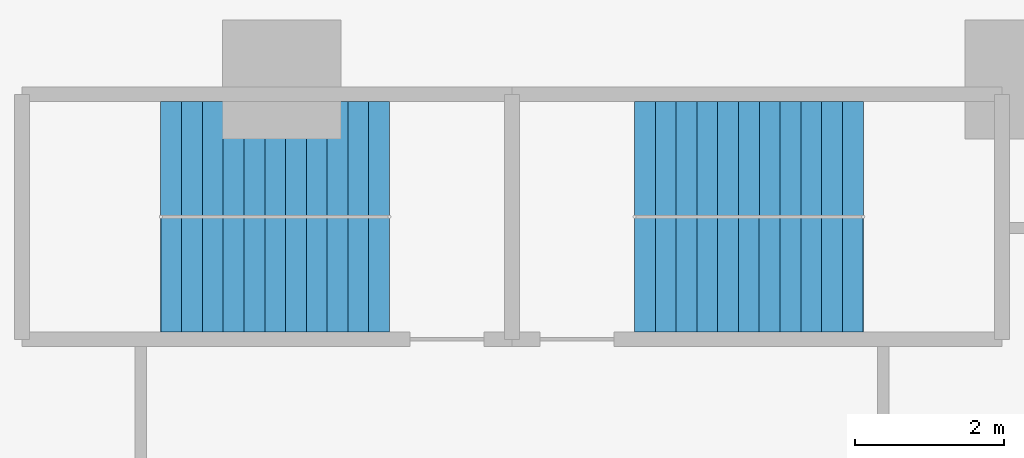
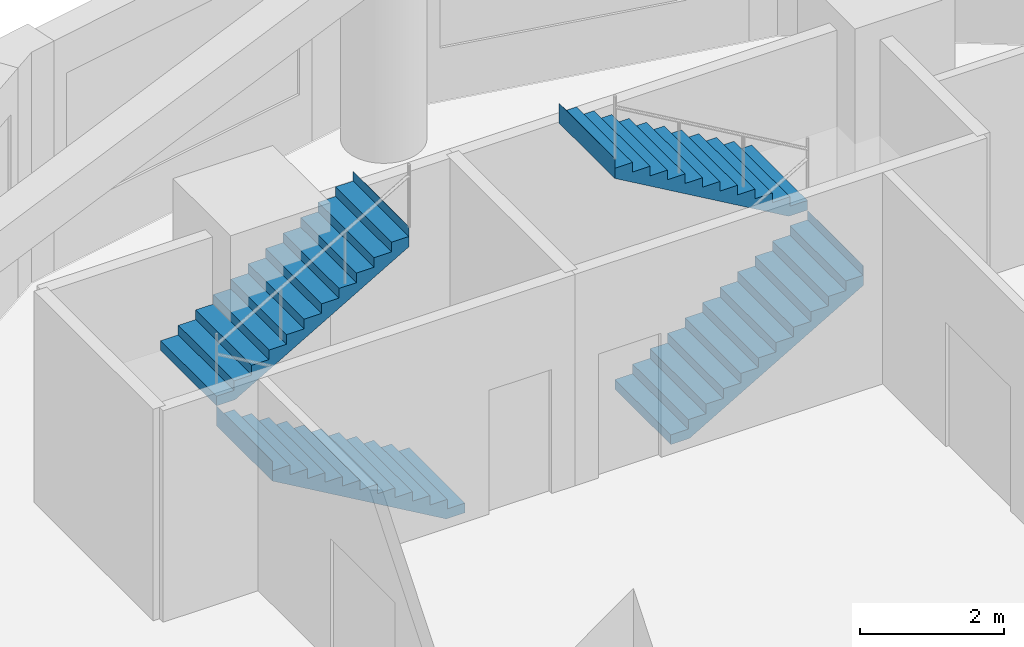
# One storey, part 8 of 10: 4 stair flights, 2 elements without a shape of their own.
"""IFC4 building model written with IfcOpenShell, lengths in metres."""

from ifc_helpers import new_model, si_unit, direction, frame, origin, place, context, subcontext, project, spatial, polyline, outline, extrude, material, type_object, element, aggregate, save


model = new_model("IFC4")

# Units and contexts
model_context = context("Model", 3, precision=1e-05, world=origin(), true_north=direction((0.0, 1.0)))
body_context = subcontext(model_context, "Body", "Model", "MODEL_VIEW")
ifc_project = project(units=[si_unit("LENGTHUNIT", "METRE"), si_unit("AREAUNIT", "SQUARE_METRE"), si_unit("VOLUMEUNIT", "CUBIC_METRE"), si_unit("PLANEANGLEUNIT", "RADIAN"), si_unit("MASSUNIT", "GRAM", prefix="KILO")], contexts=[model_context])

# Site, building, storey
site_placement = place(None, origin())
site = spatial("IfcSite", under=ifc_project, at=site_placement, CompositionType="ELEMENT")
building_placement = place(site_placement, origin())
building = spatial("IfcBuilding", under=site, at=building_placement, Name="Qaws Garden Tower", CompositionType="ELEMENT")
storey_placement = place(building_placement, frame((0.0, 0.0, 58.800048828125)))
storey = spatial("IfcBuildingStorey", under=building, at=storey_placement, Name="L14", CompositionType="ELEMENT", Elevation=58.800048828125)

# Stair, stair flights
ifc_material_1 = material(Name="Concrete C40", Category="concrete")
stair_type = type_object("IfcStairType", Name="Exit stair 1350", PredefinedType="HALF_TURN_STAIR", material=ifc_material_1)
placement = place(storey_placement, origin())
stair_1 = element("IfcStair", 1, at=placement, inside=storey, type_object=stair_type, Name="Stair 6", PredefinedType="HALF_TURN_STAIR")
ifc_material_2 = material(Name="Concrete C40", Category="concrete")
stair_flight_type = type_object("IfcStairFlightType", Name="Stair flight 1350", PredefinedType="STRAIGHT", material=ifc_material_2)
stair_flight_1_placement = place(storey_placement, frame((11.449951171875, 67.375, 0.0), z_axis=(0.0, 0.0, 1.0), x_axis=(-1.0, 0.0, 0.0)))
stair_flight_1 = element("IfcStairFlight", 2, at=stair_flight_1_placement, type_object=stair_flight_type, Name="ST6 flight 1", NumberOfRisers=12, NumberOfTreads=11, PredefinedType="STRAIGHT", RiserHeight=0.1625, TreadLength=0.28, context=body_context, shape_type="SweptSolid", body=[
    extrude(outline(polyline([(-0.0029296875, 0.0), (-0.0029296875, 0.16259765625), (0.0, 0.16259765625), (0.280029296875, 0.16259765625), (0.280029296875, 0.324951171875), (0.56005859375, 0.324951171875), (0.56005859375, 0.487548828125), (0.840087890625, 0.487548828125), (0.840087890625, 0.64990234375), (1.1201171875, 0.64990234375), (1.1201171875, 0.8125), (1.39990234375, 0.8125), (1.39990234375, 0.97509765625), (1.679931640625, 0.97509765625), (1.679931640625, 1.137451171875), (1.9599609375, 1.137451171875), (1.9599609375, 1.300048828125), (2.239990234375, 1.300048828125), (2.239990234375, 1.46240234375), (2.52001953125, 1.46240234375), (2.52001953125, 1.625), (2.800048828125, 1.625), (2.800048828125, 1.78759765625), (3.080078125, 1.78759765625), (3.080078125, 1.949951171875), (3.0830078125, 1.949951171875), (3.0830078125, 1.6142578125), (3.080078125, 1.6142578125), (0.298583984375, 0.0), (-0.0029296875, 0.0)])), frame((0.0, 0.77490234375, 0.0), z_axis=(0.0, -1.0, 0.0), x_axis=(1.0, 0.0, 0.0)), (0.0, 0.0, 1.0), 1.550048828125),
])
stair_flight_2_placement = place(storey_placement, frame((8.3701171875, 68.925048828125, 1.949951171875), z_axis=(0.0, 0.0, 1.0), x_axis=(1.0, 0.0, 0.0)))
stair_flight_2 = element("IfcStairFlight", 3, at=stair_flight_2_placement, type_object=stair_flight_type, Name="ST6 flight 2", NumberOfRisers=12, NumberOfTreads=11, PredefinedType="STRAIGHT", RiserHeight=0.1625, TreadLength=0.28, context=body_context, shape_type="SweptSolid", body=[
    extrude(outline(polyline([(-0.0029296875, 0.0), (-0.0029296875, 0.16259765625), (0.0, 0.16259765625), (0.280029296875, 0.16259765625), (0.280029296875, 0.324951171875), (0.56005859375, 0.324951171875), (0.56005859375, 0.487548828125), (0.840087890625, 0.487548828125), (0.840087890625, 0.64990234375), (1.1201171875, 0.64990234375), (1.1201171875, 0.8125), (1.39990234375, 0.8125), (1.39990234375, 0.97509765625), (1.679931640625, 0.97509765625), (1.679931640625, 1.137451171875), (1.9599609375, 1.137451171875), (1.9599609375, 1.300048828125), (2.239990234375, 1.300048828125), (2.239990234375, 1.46240234375), (2.52001953125, 1.46240234375), (2.52001953125, 1.625), (2.800048828125, 1.625), (2.800048828125, 1.78759765625), (3.080078125, 1.78759765625), (3.080078125, 1.949951171875), (3.0830078125, 1.949951171875), (3.0830078125, 1.6142578125), (3.080078125, 1.6142578125), (0.298583984375, 0.0), (-0.0029296875, 0.0)])), frame((0.0, 0.77490234375, 0.0), z_axis=(0.0, -1.0, 0.0), x_axis=(1.0, 0.0, 0.0)), (0.0, 0.0, 1.0), 1.550048828125),
])
aggregate(stair_1, [stair_flight_1, stair_flight_2])

stair_2 = element("IfcStair", 4, at=placement, inside=storey, type_object=stair_type, Name="Stair 7", PredefinedType="HALF_TURN_STAIR")
stair_flight_3_placement = place(storey_placement, frame((14.75, 67.375, 0.0), z_axis=(0.0, 0.0, 1.0), x_axis=(1.0, 0.0, 0.0)))
stair_flight_3 = element("IfcStairFlight", 5, at=stair_flight_3_placement, type_object=stair_flight_type, Name="ST7 flight 1", NumberOfRisers=12, NumberOfTreads=11, PredefinedType="STRAIGHT", RiserHeight=0.1625, TreadLength=0.28, context=body_context, shape_type="SweptSolid", body=[
    extrude(outline(polyline([(-0.0029296875, 0.0), (-0.0029296875, 0.16259765625), (0.0, 0.16259765625), (0.280029296875, 0.16259765625), (0.280029296875, 0.324951171875), (0.56005859375, 0.324951171875), (0.56005859375, 0.487548828125), (0.840087890625, 0.487548828125), (0.840087890625, 0.64990234375), (1.1201171875, 0.64990234375), (1.1201171875, 0.8125), (1.39990234375, 0.8125), (1.39990234375, 0.97509765625), (1.679931640625, 0.97509765625), (1.679931640625, 1.137451171875), (1.9599609375, 1.137451171875), (1.9599609375, 1.300048828125), (2.239990234375, 1.300048828125), (2.239990234375, 1.46240234375), (2.52001953125, 1.46240234375), (2.52001953125, 1.625), (2.800048828125, 1.625), (2.800048828125, 1.78759765625), (3.080078125, 1.78759765625), (3.080078125, 1.949951171875), (3.0830078125, 1.949951171875), (3.0830078125, 1.6142578125), (3.080078125, 1.6142578125), (0.298583984375, 0.0), (-0.0029296875, 0.0)])), frame((0.0, 0.77490234375, 0.0), z_axis=(0.0, -1.0, 0.0), x_axis=(1.0, 0.0, 0.0)), (0.0, 0.0, 1.0), 1.550048828125),
])
stair_flight_4_placement = place(storey_placement, frame((17.830078125, 68.925048828125, 1.949951171875), z_axis=(0.0, 0.0, 1.0), x_axis=(-1.0, 0.0, 0.0)))
stair_flight_4 = element("IfcStairFlight", 6, at=stair_flight_4_placement, type_object=stair_flight_type, Name="ST7 flight 2", NumberOfRisers=12, NumberOfTreads=11, PredefinedType="STRAIGHT", RiserHeight=0.1625, TreadLength=0.28, context=body_context, shape_type="SweptSolid", body=[
    extrude(outline(polyline([(-0.0029296875, 0.0), (-0.0029296875, 0.16259765625), (0.0, 0.16259765625), (0.280029296875, 0.16259765625), (0.280029296875, 0.324951171875), (0.56005859375, 0.324951171875), (0.56005859375, 0.487548828125), (0.840087890625, 0.487548828125), (0.840087890625, 0.64990234375), (1.1201171875, 0.64990234375), (1.1201171875, 0.8125), (1.39990234375, 0.8125), (1.39990234375, 0.97509765625), (1.679931640625, 0.97509765625), (1.679931640625, 1.137451171875), (1.9599609375, 1.137451171875), (1.9599609375, 1.300048828125), (2.239990234375, 1.300048828125), (2.239990234375, 1.46240234375), (2.52001953125, 1.46240234375), (2.52001953125, 1.625), (2.800048828125, 1.625), (2.800048828125, 1.78759765625), (3.080078125, 1.78759765625), (3.080078125, 1.949951171875), (3.0830078125, 1.949951171875), (3.0830078125, 1.6142578125), (3.080078125, 1.6142578125), (0.298583984375, 0.0), (-0.0029296875, 0.0)])), frame((0.0, 0.77490234375, 0.0), z_axis=(0.0, -1.0, 0.0), x_axis=(1.0, 0.0, 0.0)), (0.0, 0.0, 1.0), 1.550048828125),
])
aggregate(stair_2, [stair_flight_3, stair_flight_4])

save(model, "model.ifc")
